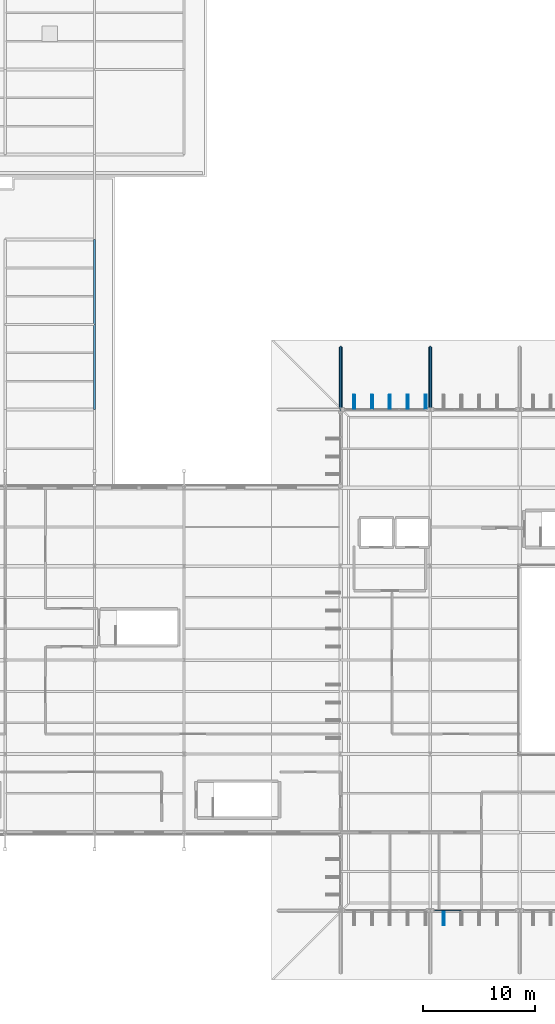
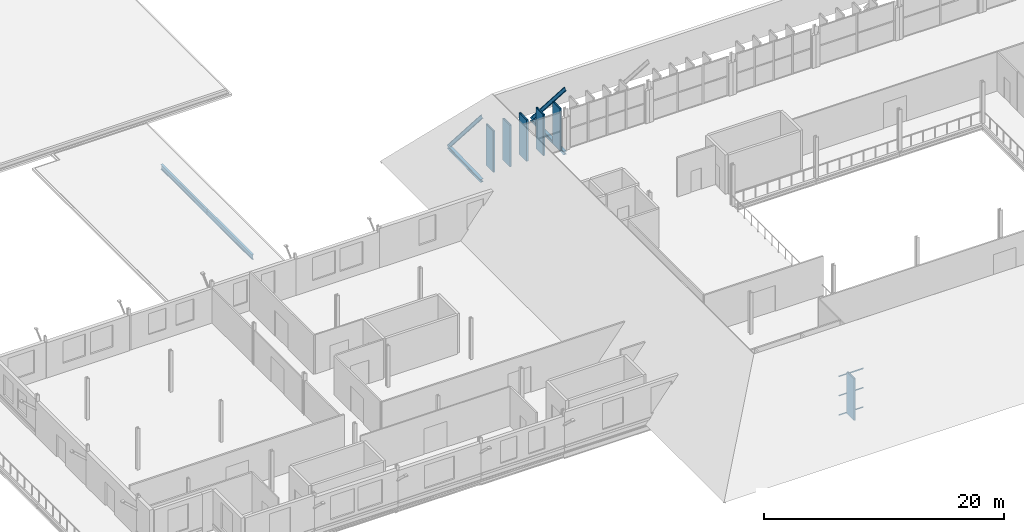
# One storey, part 28 of 93: 11 members, 4 beams, 1 element without a shape of its own.
"""IFC4 building model written with IfcOpenShell, lengths in metres."""

from ifc_helpers import new_model, si_unit, direction, frame, origin, origin_2d, place, context, subcontext, project, spatial, hollow_rectangle, i_section, extrude, material, layer, layer_set, material_profile, profile_set, type_object, element, aggregate, save


model = new_model("IFC4")

# Units and contexts
model_context = context("Model", 3, precision=1e-05, world=origin(), true_north=direction((0.0, 1.0)))
body_context = subcontext(model_context, "Body", "Model", "MODEL_VIEW")
ifc_project = project(units=[si_unit("LENGTHUNIT", "METRE"), si_unit("AREAUNIT", "SQUARE_METRE"), si_unit("VOLUMEUNIT", "CUBIC_METRE"), si_unit("PLANEANGLEUNIT", "RADIAN"), si_unit("MASSUNIT", "GRAM", prefix="KILO")], contexts=[model_context])

# Site, building, storey
site_placement = place(None, origin())
site = spatial("IfcSite", under=ifc_project, at=site_placement, CompositionType="ELEMENT")
building_placement = place(site_placement, origin())
building = spatial("IfcBuilding", under=site, at=building_placement, Name="Vekula Escarpment Museum", CompositionType="ELEMENT")
storey_placement = place(building_placement, frame((0.0, 0.0, 22.199951171875)))
storey = spatial("IfcBuildingStorey", under=building, at=storey_placement, Name="L05", CompositionType="ELEMENT", Elevation=22.199951171875)

# Beams
ifc_material_1 = material(Name="Steel S355", Category="steel")
ifc_material_profile_1 = material_profile(ifc_material_1, i_section(OverallWidth=0.300048828125, OverallDepth=0.320068359375, WebThickness=0.011474609375, FlangeThickness=0.0205078125, FilletRadius=0.027099609375, at=origin_2d()), Name="HEB 320")
ifc_profile_set_1 = profile_set([ifc_material_profile_1], Name="Steel S355")
beam_type_1 = type_object("IfcBeamType", Name="BM-EAVE-OUT", PredefinedType="BEAM", material=ifc_profile_set_1)
for number, where, z_axis, x_axis, name in (
    (1, (70.0, 90.39990234375, -0.39990234375), (0.0, 0.999770980386, 0.021400625659), (-1.0, 0.0, 0.0), "Great Hall North Eave Outrigger 70"),
    (2, (78.0, 90.39990234375, -0.39990234375), (0.0, 0.999770980386, 0.021400625659), (-1.0, 0.0, 0.0), "Great Hall North Eave Outrigger 78"),
):
    element("IfcBeam", number, at=place(storey_placement, frame(where, z_axis=z_axis, x_axis=x_axis)), inside=storey, type_object=beam_type_1, Name=name, PredefinedType="BEAM", context=body_context, shape_type="SweptSolid", body=[
        extrude(i_section(OverallWidth=0.300048828125, OverallDepth=0.320068359375, WebThickness=0.011474609375, FlangeThickness=0.0205078125, FilletRadius=0.027099609375, at=origin_2d()), origin(), (0.0, 0.0, 1.0), 5.601318359375),
    ])
ifc_material_2 = material(Name="Steel S355", Category="steel")
ifc_material_profile_2 = material_profile(ifc_material_2, i_section(OverallWidth=0.199951171875, OverallDepth=0.5, WebThickness=0.01025390625, FlangeThickness=0.01611328125, FilletRadius=0.02099609375, at=origin_2d()), Name="IPE 500")
ifc_profile_set_2 = profile_set([ifc_material_profile_2], Name="Steel S355")
beam_type_2 = type_object("IfcBeamType", Name="BM-GIRD-IPE500", PredefinedType="BEAM", material=ifc_profile_set_2)
for number, where, z_axis, x_axis, name in (
    (3, (48.0, 90.39990234375, -0.449951171875), (0.0, 1.0, 0.0), (-1.0, 0.0, 0.0), "Beam Y L05 2109"),
    (4, (48.0, 98.0, -0.449951171875), (0.0, 1.0, 0.0), (-1.0, 0.0, 0.0), "Beam Y L05 2110"),
):
    element("IfcBeam", number, at=place(storey_placement, frame(where, z_axis=z_axis, x_axis=x_axis)), inside=storey, type_object=beam_type_2, Name=name, PredefinedType="BEAM", context=body_context, shape_type="SweptSolid", body=[
        extrude(i_section(OverallWidth=0.199951171875, OverallDepth=0.5, WebThickness=0.01025390625, FlangeThickness=0.01611328125, FilletRadius=0.02099609375, at=origin_2d()), origin(), (0.0, 0.0, 1.0), 7.60009765625),
    ])

# Curtain wall, members
ifc_material_3 = material(Name="Aluminium thermally broken framing", Category="aluminium")
ifc_layer = layer(ifc_material_3, 0.199951171875)
ifc_layer_set = layer_set([ifc_layer], Name="Aluminium thermally broken framing")
curtain_wall_type = type_object("IfcCurtainWallType", Name="CW-SYS-04", PredefinedType="NOTDEFINED", material=ifc_layer_set)
curtain_wall_placement = place(storey_placement, origin())
curtain_wall = element("IfcCurtainWall", 5, at=curtain_wall_placement, inside=storey, type_object=curtain_wall_type, Name="Curtain Wall CW-L05-164", PredefinedType="NOTDEFINED")
ifc_material_4 = material(Name="Aluminium anodized transom", Category="aluminium")
ifc_material_profile_3 = material_profile(ifc_material_4, hollow_rectangle(XDim=0.06005859375, YDim=0.1201171875, WallThickness=0.00390625, InnerFilletRadius=0.00390625, OuterFilletRadius=0.008056640625, at=origin_2d()), Name="ALU 120x60x4")
ifc_profile_set_3 = profile_set([ifc_material_profile_3], Name="Aluminium anodized transom")
member_type_1 = type_object("IfcMemberType", Name="CW-TRN-120", PredefinedType="USERDEFINED", material=ifc_profile_set_3)
member_1_placement = place(storey_placement, frame((78.419921875, 45.60009765625, 0.030029296875), z_axis=(1.0, 0.0, 0.0), x_axis=(0.0, 1.0, 0.0)))
member_1 = element("IfcMember", 6, at=member_1_placement, type_object=member_type_1, Name="CW-04 transom 1.1", ObjectType="TRANSOM", PredefinedType="USERDEFINED", context=body_context, shape_type="SweptSolid", body=[
    extrude(hollow_rectangle(XDim=0.06005859375, YDim=0.1201171875, WallThickness=0.00390625, InnerFilletRadius=0.00390625, OuterFilletRadius=0.008056640625, at=origin_2d()), origin(), (0.0, 0.0, 1.0), 2.336669921875),
])
member_2_placement = place(storey_placement, frame((78.419921875, 45.60009765625, 1.989990234375), z_axis=(1.0, 0.0, 0.0), x_axis=(0.0, 1.0, 0.0)))
member_2 = element("IfcMember", 7, at=member_2_placement, type_object=member_type_1, Name="CW-04 transom 1.2", ObjectType="TRANSOM", PredefinedType="USERDEFINED", context=body_context, shape_type="SweptSolid", body=[
    extrude(hollow_rectangle(XDim=0.06005859375, YDim=0.1201171875, WallThickness=0.00390625, InnerFilletRadius=0.00390625, OuterFilletRadius=0.008056640625, at=origin_2d()), origin(), (0.0, 0.0, 1.0), 2.336669921875),
])
member_3_placement = place(storey_placement, frame((78.419921875, 45.60009765625, 3.949951171875), z_axis=(1.0, 0.0, 0.0), x_axis=(0.0, 1.0, 0.0)))
member_3 = element("IfcMember", 8, at=member_3_placement, type_object=member_type_1, Name="CW-04 transom 1.3", ObjectType="TRANSOM", PredefinedType="USERDEFINED", context=body_context, shape_type="SweptSolid", body=[
    extrude(hollow_rectangle(XDim=0.06005859375, YDim=0.1201171875, WallThickness=0.00390625, InnerFilletRadius=0.00390625, OuterFilletRadius=0.008056640625, at=origin_2d()), origin(), (0.0, 0.0, 1.0), 2.336669921875),
])
aggregate(curtain_wall, [member_1, member_2, member_3])

# Members
ifc_material_5 = material(Name="Steel S355", Category="steel")
ifc_material_profile_4 = material_profile(ifc_material_5, i_section(OverallWidth=0.159912109375, OverallDepth=0.330078125, WebThickness=0.007568359375, FlangeThickness=0.011474609375, FilletRadius=0.01806640625, at=origin_2d()), Name="IPE 330")
ifc_profile_set_4 = profile_set([ifc_material_profile_4], Name="Steel S355")
member_type_2 = type_object("IfcMemberType", Name="MB-SKIRT-RAFTER", PredefinedType="CHORD", material=ifc_profile_set_4)
for number, where, z_axis, x_axis, name in (
    (9, (70.0, 95.949951171875, -0.280029296875), (0.0, -0.654565426105, 0.756005359073), (1.0, 0.0, 0.0), "Truncated-Hip Rafter North 70"),
    (10, (78.0, 95.949951171875, -0.280029296875), (0.0, -0.654565426105, 0.756005359073), (1.0, 0.0, 0.0), "Truncated-Hip Rafter North 78"),
):
    element("IfcMember", number, at=place(storey_placement, frame(where, z_axis=z_axis, x_axis=x_axis)), inside=storey, type_object=member_type_2, Name=name, PredefinedType="CHORD", context=body_context, shape_type="SweptSolid", body=[
        extrude(i_section(OverallWidth=0.159912109375, OverallDepth=0.330078125, WebThickness=0.007568359375, FlangeThickness=0.011474609375, FilletRadius=0.01806640625, at=origin_2d()), origin(), (0.0, 0.0, 1.0), 8.47900390625),
    ])
ifc_material_6 = material(Name="Steel S355 weathered bronze solar fin", Category="steel")
ifc_material_profile_5 = material_profile(ifc_material_6, hollow_rectangle(XDim=0.179931640625, YDim=1.25, WallThickness=0.010009765625, InnerFilletRadius=0.010009765625, OuterFilletRadius=0.02001953125, at=origin_2d()), Name="RHS 1250x180x10")
ifc_profile_set_5 = profile_set([ifc_material_profile_5], Name="Steel S355 weathered bronze solar fin")
member_type_3 = type_object("IfcMemberType", Name="MB-SOLAR-FIN", PredefinedType="USERDEFINED", material=ifc_profile_set_5)
for number, where, z_axis, x_axis, name in (
    (11, (79.199951171875, 44.919921875, 0.0), (0.0, 0.0, 1.0), (1.0, 0.0, 0.0), "Great Hall Vertical Solar Fin 0030"),
    (12, (71.199951171875, 91.080078125, 0.0), (0.0, 0.0, 1.0), (1.0, 0.0, 0.0), "Great Hall Vertical Solar Fin 0135"),
    (13, (72.800048828125, 91.080078125, 0.0), (0.0, 0.0, 1.0), (1.0, 0.0, 0.0), "Great Hall Vertical Solar Fin 0140"),
    (14, (74.39990234375, 91.080078125, 0.0), (0.0, 0.0, 1.0), (1.0, 0.0, 0.0), "Great Hall Vertical Solar Fin 0145"),
    (15, (76.0, 91.080078125, 0.0), (0.0, 0.0, 1.0), (1.0, 0.0, 0.0), "Great Hall Vertical Solar Fin 0150"),
    (16, (77.60009765625, 91.080078125, 0.0), (0.0, 0.0, 1.0), (1.0, 0.0, 0.0), "Great Hall Vertical Solar Fin 0155"),
):
    element("IfcMember", number, at=place(storey_placement, frame(where, z_axis=z_axis, x_axis=x_axis)), inside=storey, type_object=member_type_3, Name=name, ObjectType="SOLAR FIN", PredefinedType="USERDEFINED", context=body_context, shape_type="SweptSolid", body=[
        extrude(hollow_rectangle(XDim=0.179931640625, YDim=1.25, WallThickness=0.010009765625, InnerFilletRadius=0.010009765625, OuterFilletRadius=0.02001953125, at=origin_2d()), origin(), (0.0, 0.0, 1.0), 4.199951171875),
    ])

save(model, "model.ifc")
